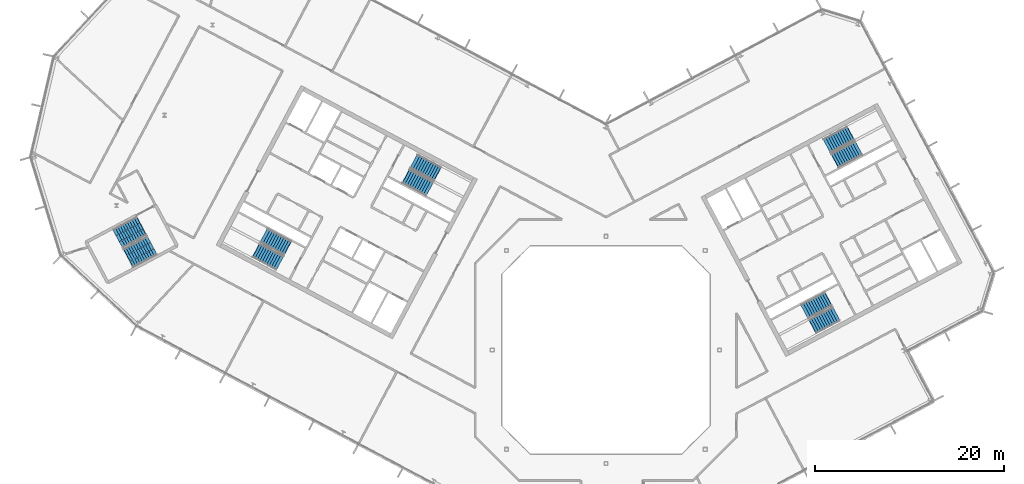
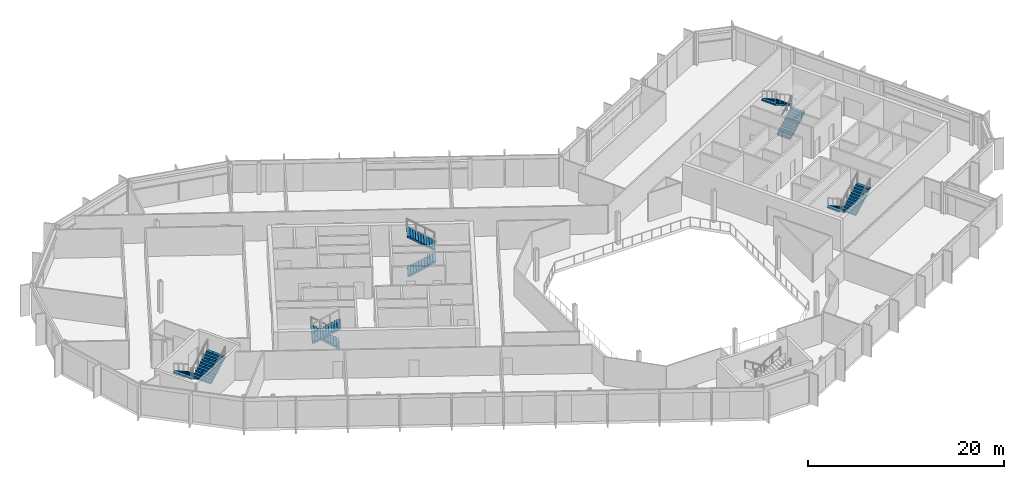
# One storey, part 17 of 25: 10 stair flights, 5 elements without a shape of their own.
"""IFC4 building model written with IfcOpenShell, lengths in metres."""

from ifc_helpers import new_model, si_unit, direction, frame, origin, place, context, subcontext, project, spatial, polyline, outline, extrude, material, type_object, element, aggregate, save


model = new_model("IFC4")

# Units and contexts
model_context = context("Model", 3, precision=1e-05, world=origin(), true_north=direction((0.0, 1.0)))
body_context = subcontext(model_context, "Body", "Model", "MODEL_VIEW")
ifc_project = project(units=[si_unit("LENGTHUNIT", "METRE"), si_unit("AREAUNIT", "SQUARE_METRE"), si_unit("VOLUMEUNIT", "CUBIC_METRE"), si_unit("PLANEANGLEUNIT", "RADIAN"), si_unit("MASSUNIT", "GRAM", prefix="KILO")], contexts=[model_context])

# Site, building, storey
site_placement = place(None, origin())
site = spatial("IfcSite", under=ifc_project, at=site_placement, CompositionType="ELEMENT")
building_placement = place(site_placement, origin())
building = spatial("IfcBuilding", under=site, at=building_placement, Name="Cormorant Relay Tower", CompositionType="ELEMENT")
storey_placement = place(building_placement, frame((0.0, 0.0, 297.0)))
storey = spatial("IfcBuildingStorey", under=building, at=storey_placement, Name="L67", CompositionType="ELEMENT", Elevation=297.0)

# Stair, stair flights
ifc_material_1 = material(Name="Concrete 40 MPa", Category="concrete")
stair_type_1 = type_object("IfcStairType", Name="Exit stair 1500", PredefinedType="HALF_TURN_STAIR", material=ifc_material_1)
stair_1_placement = place(storey_placement, origin())
stair_1 = element("IfcStair", 1, at=stair_1_placement, inside=storey, type_object=stair_type_1, Name="L67 Stair", PredefinedType="HALF_TURN_STAIR")
ifc_material_2 = material(Name="Concrete 40 MPa", Category="concrete")
stair_flight_type_1 = type_object("IfcStairFlightType", Name="Exit stair flight 1650", PredefinedType="STRAIGHT", material=ifc_material_2)
stair_flight_1_placement = place(storey_placement, frame((-21.114501953125, 18.33349609375, 0.0), z_axis=(0.0, 0.0, 1.0), x_axis=(0.882947592859, -0.469471562786, 0.0)))
stair_flight_1 = element("IfcStairFlight", 2, at=stair_flight_1_placement, type_object=stair_flight_type_1, Name="A1 flight 1", NumberOfRisers=11, NumberOfTreads=10, PredefinedType="STRAIGHT", RiserHeight=0.177272727, TreadLength=0.28, context=body_context, shape_type="SweptSolid", body=[
    extrude(outline(polyline([(-0.050048828125, -0.080078125), (-0.050048828125, 0.0), (0.0, 0.0), (0.0, 0.17724609375), (0.280029296875, 0.17724609375), (0.280029296875, 0.3544921875), (0.56005859375, 0.3544921875), (0.56005859375, 0.53173828125), (0.840087890625, 0.53173828125), (0.840087890625, 0.708984375), (1.1201171875, 0.708984375), (1.1201171875, 0.886474609375), (1.39990234375, 0.886474609375), (1.39990234375, 1.063720703125), (1.679931640625, 1.063720703125), (1.679931640625, 1.240966796875), (1.9599609375, 1.240966796875), (1.9599609375, 1.418212890625), (2.239990234375, 1.418212890625), (2.239990234375, 1.595458984375), (2.52001953125, 1.595458984375), (2.52001953125, 1.772705078125), (2.800048828125, 1.772705078125), (2.85009765625, 1.772705078125), (2.85009765625, 1.59521484375), (2.800048828125, 1.59521484375), (0.2802734375, 0.0), (-0.050048828125, -0.080078125)])), frame((0.0, 0.824951171875, 0.0), z_axis=(0.0, -1.0, 0.0), x_axis=(1.0, 0.0, 0.0)), (0.0, 0.0, 1.0), 1.64990234375),
])
stair_flight_2_placement = place(storey_placement, frame((-17.797119140625, 18.6083984375, 1.949951171875), z_axis=(0.0, 0.0, 1.0), x_axis=(-0.882947592859, 0.469471562786, 0.0)))
stair_flight_2 = element("IfcStairFlight", 3, at=stair_flight_2_placement, type_object=stair_flight_type_1, Name="A1 flight 2", NumberOfRisers=11, NumberOfTreads=10, PredefinedType="STRAIGHT", RiserHeight=0.177272727, TreadLength=0.28, context=body_context, shape_type="SweptSolid", body=[
    extrude(outline(polyline([(-0.050048828125, -0.080078125), (-0.050048828125, 0.0), (0.0, 0.0), (0.0, 0.17724609375), (0.280029296875, 0.17724609375), (0.280029296875, 0.3544921875), (0.56005859375, 0.3544921875), (0.56005859375, 0.53173828125), (0.840087890625, 0.53173828125), (0.840087890625, 0.708984375), (1.1201171875, 0.708984375), (1.1201171875, 0.886474609375), (1.39990234375, 0.886474609375), (1.39990234375, 1.063720703125), (1.679931640625, 1.063720703125), (1.679931640625, 1.240966796875), (1.9599609375, 1.240966796875), (1.9599609375, 1.418212890625), (2.239990234375, 1.418212890625), (2.239990234375, 1.595458984375), (2.52001953125, 1.595458984375), (2.52001953125, 1.772705078125), (2.800048828125, 1.772705078125), (2.85009765625, 1.772705078125), (2.85009765625, 1.59521484375), (2.800048828125, 1.59521484375), (0.2802734375, 0.0), (-0.050048828125, -0.080078125)])), frame((0.0, 0.824951171875, 0.0), z_axis=(0.0, -1.0, 0.0), x_axis=(1.0, 0.0, 0.0)), (0.0, 0.0, 1.0), 1.64990234375),
])
aggregate(stair_1, [stair_flight_1, stair_flight_2])

stair_2_placement = place(storey_placement, origin())
stair_2 = element("IfcStair", 4, at=stair_2_placement, inside=storey, type_object=stair_type_1, Name="L67 Stair", PredefinedType="HALF_TURN_STAIR")
stair_flight_3_placement = place(storey_placement, frame((-33.62841796875, 10.773681640625, 0.0), z_axis=(0.0, 0.0, 1.0), x_axis=(-0.882947592859, 0.469471562786, 0.0)))
stair_flight_3 = element("IfcStairFlight", 5, at=stair_flight_3_placement, type_object=stair_flight_type_1, Name="A2 flight 1", NumberOfRisers=11, NumberOfTreads=10, PredefinedType="STRAIGHT", RiserHeight=0.177272727, TreadLength=0.28, context=body_context, shape_type="SweptSolid", body=[
    extrude(outline(polyline([(-0.050048828125, -0.080078125), (-0.050048828125, 0.0), (0.0, 0.0), (0.0, 0.17724609375), (0.280029296875, 0.17724609375), (0.280029296875, 0.3544921875), (0.56005859375, 0.3544921875), (0.56005859375, 0.53173828125), (0.840087890625, 0.53173828125), (0.840087890625, 0.708984375), (1.1201171875, 0.708984375), (1.1201171875, 0.886474609375), (1.39990234375, 0.886474609375), (1.39990234375, 1.063720703125), (1.679931640625, 1.063720703125), (1.679931640625, 1.240966796875), (1.9599609375, 1.240966796875), (1.9599609375, 1.418212890625), (2.239990234375, 1.418212890625), (2.239990234375, 1.595458984375), (2.52001953125, 1.595458984375), (2.52001953125, 1.772705078125), (2.800048828125, 1.772705078125), (2.85009765625, 1.772705078125), (2.85009765625, 1.59521484375), (2.800048828125, 1.59521484375), (0.2802734375, 0.0), (-0.050048828125, -0.080078125)])), frame((0.0, 0.824951171875, 0.0), z_axis=(0.0, -1.0, 0.0), x_axis=(1.0, 0.0, 0.0)), (0.0, 0.0, 1.0), 1.64990234375),
])
stair_flight_4_placement = place(storey_placement, frame((-36.945556640625, 10.498779296875, 1.949951171875), z_axis=(0.0, 0.0, 1.0), x_axis=(0.882947592859, -0.469471562786, 0.0)))
stair_flight_4 = element("IfcStairFlight", 6, at=stair_flight_4_placement, type_object=stair_flight_type_1, Name="A2 flight 2", NumberOfRisers=11, NumberOfTreads=10, PredefinedType="STRAIGHT", RiserHeight=0.177272727, TreadLength=0.28, context=body_context, shape_type="SweptSolid", body=[
    extrude(outline(polyline([(-0.050048828125, -0.080078125), (-0.050048828125, 0.0), (0.0, 0.0), (0.0, 0.17724609375), (0.280029296875, 0.17724609375), (0.280029296875, 0.3544921875), (0.56005859375, 0.3544921875), (0.56005859375, 0.53173828125), (0.840087890625, 0.53173828125), (0.840087890625, 0.708984375), (1.1201171875, 0.708984375), (1.1201171875, 0.886474609375), (1.39990234375, 0.886474609375), (1.39990234375, 1.063720703125), (1.679931640625, 1.063720703125), (1.679931640625, 1.240966796875), (1.9599609375, 1.240966796875), (1.9599609375, 1.418212890625), (2.239990234375, 1.418212890625), (2.239990234375, 1.595458984375), (2.52001953125, 1.595458984375), (2.52001953125, 1.772705078125), (2.800048828125, 1.772705078125), (2.85009765625, 1.772705078125), (2.85009765625, 1.59521484375), (2.800048828125, 1.59521484375), (0.2802734375, 0.0), (-0.050048828125, -0.080078125)])), frame((0.0, 0.824951171875, 0.0), z_axis=(0.0, -1.0, 0.0), x_axis=(1.0, 0.0, 0.0)), (0.0, 0.0, 1.0), 1.64990234375),
])
aggregate(stair_2, [stair_flight_3, stair_flight_4])

stair_3_placement = place(storey_placement, origin())
stair_3 = element("IfcStair", 7, at=stair_3_placement, inside=storey, type_object=stair_type_1, Name="L67 Stair", PredefinedType="HALF_TURN_STAIR")
stair_flight_5_placement = place(storey_placement, frame((23.474365234375, 5.374755859375, 0.0), z_axis=(0.0, 0.0, 1.0), x_axis=(-0.882947592859, -0.469471562786, 0.0)))
stair_flight_5 = element("IfcStairFlight", 8, at=stair_flight_5_placement, type_object=stair_flight_type_1, Name="B1 flight 1", NumberOfRisers=11, NumberOfTreads=10, PredefinedType="STRAIGHT", RiserHeight=0.177272727, TreadLength=0.28, context=body_context, shape_type="SweptSolid", body=[
    extrude(outline(polyline([(-0.050048828125, -0.080078125), (-0.050048828125, 0.0), (0.0, 0.0), (0.0, 0.17724609375), (0.280029296875, 0.17724609375), (0.280029296875, 0.3544921875), (0.56005859375, 0.3544921875), (0.56005859375, 0.53173828125), (0.840087890625, 0.53173828125), (0.840087890625, 0.708984375), (1.1201171875, 0.708984375), (1.1201171875, 0.886474609375), (1.39990234375, 0.886474609375), (1.39990234375, 1.063720703125), (1.679931640625, 1.063720703125), (1.679931640625, 1.240966796875), (1.9599609375, 1.240966796875), (1.9599609375, 1.418212890625), (2.239990234375, 1.418212890625), (2.239990234375, 1.595458984375), (2.52001953125, 1.595458984375), (2.52001953125, 1.772705078125), (2.800048828125, 1.772705078125), (2.85009765625, 1.772705078125), (2.85009765625, 1.59521484375), (2.800048828125, 1.59521484375), (0.2802734375, 0.0), (-0.050048828125, -0.080078125)])), frame((0.0, 0.824951171875, 0.0), z_axis=(0.0, -1.0, 0.0), x_axis=(1.0, 0.0, 0.0)), (0.0, 0.0, 1.0), 1.64990234375),
])
stair_flight_6_placement = place(storey_placement, frame((21.84716796875, 2.470947265625, 1.949951171875), z_axis=(0.0, 0.0, 1.0), x_axis=(0.882947592859, 0.469471562786, 0.0)))
stair_flight_6 = element("IfcStairFlight", 9, at=stair_flight_6_placement, type_object=stair_flight_type_1, Name="B1 flight 2", NumberOfRisers=11, NumberOfTreads=10, PredefinedType="STRAIGHT", RiserHeight=0.177272727, TreadLength=0.28, context=body_context, shape_type="SweptSolid", body=[
    extrude(outline(polyline([(-0.050048828125, -0.080078125), (-0.050048828125, 0.0), (0.0, 0.0), (0.0, 0.17724609375), (0.280029296875, 0.17724609375), (0.280029296875, 0.3544921875), (0.56005859375, 0.3544921875), (0.56005859375, 0.53173828125), (0.840087890625, 0.53173828125), (0.840087890625, 0.708984375), (1.1201171875, 0.708984375), (1.1201171875, 0.886474609375), (1.39990234375, 0.886474609375), (1.39990234375, 1.063720703125), (1.679931640625, 1.063720703125), (1.679931640625, 1.240966796875), (1.9599609375, 1.240966796875), (1.9599609375, 1.418212890625), (2.239990234375, 1.418212890625), (2.239990234375, 1.595458984375), (2.52001953125, 1.595458984375), (2.52001953125, 1.772705078125), (2.800048828125, 1.772705078125), (2.85009765625, 1.772705078125), (2.85009765625, 1.59521484375), (2.800048828125, 1.59521484375), (0.2802734375, 0.0), (-0.050048828125, -0.080078125)])), frame((0.0, 0.824951171875, 0.0), z_axis=(0.0, -1.0, 0.0), x_axis=(1.0, 0.0, 0.0)), (0.0, 0.0, 1.0), 1.64990234375),
])
aggregate(stair_3, [stair_flight_5, stair_flight_6])

stair_4_placement = place(storey_placement, origin())
stair_4 = element("IfcStair", 10, at=stair_4_placement, inside=storey, type_object=stair_type_1, Name="L67 Stair", PredefinedType="HALF_TURN_STAIR")
stair_flight_7_placement = place(storey_placement, frame((24.20458984375, 19.976806640625, 0.0), z_axis=(0.0, 0.0, 1.0), x_axis=(0.882947592859, 0.469471562786, 0.0)))
stair_flight_7 = element("IfcStairFlight", 11, at=stair_flight_7_placement, type_object=stair_flight_type_1, Name="B2 flight 1", NumberOfRisers=11, NumberOfTreads=10, PredefinedType="STRAIGHT", RiserHeight=0.177272727, TreadLength=0.28, context=body_context, shape_type="SweptSolid", body=[
    extrude(outline(polyline([(-0.050048828125, -0.080078125), (-0.050048828125, 0.0), (0.0, 0.0), (0.0, 0.17724609375), (0.280029296875, 0.17724609375), (0.280029296875, 0.3544921875), (0.56005859375, 0.3544921875), (0.56005859375, 0.53173828125), (0.840087890625, 0.53173828125), (0.840087890625, 0.708984375), (1.1201171875, 0.708984375), (1.1201171875, 0.886474609375), (1.39990234375, 0.886474609375), (1.39990234375, 1.063720703125), (1.679931640625, 1.063720703125), (1.679931640625, 1.240966796875), (1.9599609375, 1.240966796875), (1.9599609375, 1.418212890625), (2.239990234375, 1.418212890625), (2.239990234375, 1.595458984375), (2.52001953125, 1.595458984375), (2.52001953125, 1.772705078125), (2.800048828125, 1.772705078125), (2.85009765625, 1.772705078125), (2.85009765625, 1.59521484375), (2.800048828125, 1.59521484375), (0.2802734375, 0.0), (-0.050048828125, -0.080078125)])), frame((0.0, 0.824951171875, 0.0), z_axis=(0.0, -1.0, 0.0), x_axis=(1.0, 0.0, 0.0)), (0.0, 0.0, 1.0), 1.64990234375),
])
stair_flight_8_placement = place(storey_placement, frame((25.831787109375, 22.880615234375, 1.949951171875), z_axis=(0.0, 0.0, 1.0), x_axis=(-0.882947592859, -0.469471562786, 0.0)))
stair_flight_8 = element("IfcStairFlight", 12, at=stair_flight_8_placement, type_object=stair_flight_type_1, Name="B2 flight 2", NumberOfRisers=11, NumberOfTreads=10, PredefinedType="STRAIGHT", RiserHeight=0.177272727, TreadLength=0.28, context=body_context, shape_type="SweptSolid", body=[
    extrude(outline(polyline([(-0.050048828125, -0.080078125), (-0.050048828125, 0.0), (0.0, 0.0), (0.0, 0.17724609375), (0.280029296875, 0.17724609375), (0.280029296875, 0.3544921875), (0.56005859375, 0.3544921875), (0.56005859375, 0.53173828125), (0.840087890625, 0.53173828125), (0.840087890625, 0.708984375), (1.1201171875, 0.708984375), (1.1201171875, 0.886474609375), (1.39990234375, 0.886474609375), (1.39990234375, 1.063720703125), (1.679931640625, 1.063720703125), (1.679931640625, 1.240966796875), (1.9599609375, 1.240966796875), (1.9599609375, 1.418212890625), (2.239990234375, 1.418212890625), (2.239990234375, 1.595458984375), (2.52001953125, 1.595458984375), (2.52001953125, 1.772705078125), (2.800048828125, 1.772705078125), (2.85009765625, 1.772705078125), (2.85009765625, 1.59521484375), (2.800048828125, 1.59521484375), (0.2802734375, 0.0), (-0.050048828125, -0.080078125)])), frame((0.0, 0.824951171875, 0.0), z_axis=(0.0, -1.0, 0.0), x_axis=(1.0, 0.0, 0.0)), (0.0, 0.0, 1.0), 1.64990234375),
])
aggregate(stair_4, [stair_flight_7, stair_flight_8])

ifc_material_3 = material(Name="Concrete 40 MPa", Category="concrete")
stair_type_2 = type_object("IfcStairType", Name="Remote exit stair 2200", PredefinedType="HALF_TURN_STAIR", material=ifc_material_3)
stair_5_placement = place(storey_placement, origin())
stair_5 = element("IfcStair", 13, at=stair_5_placement, inside=storey, type_object=stair_type_2, Name="L67 Stair", PredefinedType="HALF_TURN_STAIR")
ifc_material_4 = material(Name="Concrete 40 MPa", Category="concrete")
stair_flight_type_2 = type_object("IfcStairFlightType", Name="Remote exit stair flight 2200", PredefinedType="STRAIGHT", material=ifc_material_4)
stair_flight_9_placement = place(storey_placement, frame((-49.062255859375, 13.08251953125, 0.0), z_axis=(0.0, 0.0, 1.0), x_axis=(-0.882947502727, -0.4694717323, 0.0)))
stair_flight_9 = element("IfcStairFlight", 14, at=stair_flight_9_placement, type_object=stair_flight_type_2, Name="RP1 flight 1", NumberOfRisers=11, NumberOfTreads=10, PredefinedType="STRAIGHT", RiserHeight=0.177272727, TreadLength=0.28, context=body_context, shape_type="SweptSolid", body=[
    extrude(outline(polyline([(-0.050048828125, -0.080078125), (-0.050048828125, 0.0), (0.0, 0.0), (0.0, 0.17724609375), (0.280029296875, 0.17724609375), (0.280029296875, 0.3544921875), (0.56005859375, 0.3544921875), (0.56005859375, 0.53173828125), (0.840087890625, 0.53173828125), (0.840087890625, 0.708984375), (1.1201171875, 0.708984375), (1.1201171875, 0.886474609375), (1.39990234375, 0.886474609375), (1.39990234375, 1.063720703125), (1.679931640625, 1.063720703125), (1.679931640625, 1.240966796875), (1.9599609375, 1.240966796875), (1.9599609375, 1.418212890625), (2.239990234375, 1.418212890625), (2.239990234375, 1.595458984375), (2.52001953125, 1.595458984375), (2.52001953125, 1.772705078125), (2.800048828125, 1.772705078125), (2.85009765625, 1.772705078125), (2.85009765625, 1.59521484375), (2.800048828125, 1.59521484375), (0.2802734375, 0.0), (-0.050048828125, -0.080078125)])), frame((0.0, 1.10009765625, 0.0), z_axis=(0.0, -1.0, 0.0), x_axis=(1.0, 0.0, 0.0)), (0.0, 0.0, 1.0), 0.719970703125),
    extrude(outline(polyline([(-0.050048828125, -0.080078125), (-0.050048828125, 0.0), (0.0, 0.0), (0.0, 0.17724609375), (0.280029296875, 0.17724609375), (0.280029296875, 0.3544921875), (0.56005859375, 0.3544921875), (0.56005859375, 0.53173828125), (0.840087890625, 0.53173828125), (0.840087890625, 0.708984375), (1.1201171875, 0.708984375), (1.1201171875, 0.886474609375), (1.39990234375, 0.886474609375), (1.39990234375, 1.063720703125), (1.679931640625, 1.063720703125), (1.679931640625, 1.240966796875), (1.9599609375, 1.240966796875), (1.9599609375, 1.418212890625), (2.239990234375, 1.418212890625), (2.239990234375, 1.595458984375), (2.52001953125, 1.595458984375), (2.52001953125, 1.772705078125), (2.800048828125, 1.772705078125), (2.85009765625, 1.772705078125), (2.85009765625, 1.59521484375), (2.800048828125, 1.59521484375), (0.2802734375, 0.0), (-0.050048828125, -0.080078125)])), frame((0.0, 0.360107421875, 0.0), z_axis=(0.0, -1.0, 0.0), x_axis=(1.0, 0.0, 0.0)), (0.0, 0.0, 1.0), 0.719970703125),
    extrude(outline(polyline([(-0.050048828125, -0.080078125), (-0.050048828125, 0.0), (0.0, 0.0), (0.0, 0.17724609375), (0.280029296875, 0.17724609375), (0.280029296875, 0.3544921875), (0.56005859375, 0.3544921875), (0.56005859375, 0.53173828125), (0.840087890625, 0.53173828125), (0.840087890625, 0.708984375), (1.1201171875, 0.708984375), (1.1201171875, 0.886474609375), (1.39990234375, 0.886474609375), (1.39990234375, 1.063720703125), (1.679931640625, 1.063720703125), (1.679931640625, 1.240966796875), (1.9599609375, 1.240966796875), (1.9599609375, 1.418212890625), (2.239990234375, 1.418212890625), (2.239990234375, 1.595458984375), (2.52001953125, 1.595458984375), (2.52001953125, 1.772705078125), (2.800048828125, 1.772705078125), (2.85009765625, 1.772705078125), (2.85009765625, 1.59521484375), (2.800048828125, 1.59521484375), (0.2802734375, 0.0), (-0.050048828125, -0.080078125)])), frame((0.0, -0.3798828125, 0.0), z_axis=(0.0, -1.0, 0.0), x_axis=(1.0, 0.0, 0.0)), (0.0, 0.0, 1.0), 0.719970703125),
])
stair_flight_10_placement = place(storey_placement, frame((-50.431396484375, 9.693115234375, 1.949951171875), z_axis=(0.0, 0.0, 1.0), x_axis=(0.882947502727, 0.4694717323, 0.0)))
stair_flight_10 = element("IfcStairFlight", 15, at=stair_flight_10_placement, type_object=stair_flight_type_2, Name="RP1 flight 2", NumberOfRisers=11, NumberOfTreads=10, PredefinedType="STRAIGHT", RiserHeight=0.177272727, TreadLength=0.28, context=body_context, shape_type="SweptSolid", body=[
    extrude(outline(polyline([(-0.050048828125, -0.080078125), (-0.050048828125, 0.0), (0.0, 0.0), (0.0, 0.17724609375), (0.280029296875, 0.17724609375), (0.280029296875, 0.3544921875), (0.56005859375, 0.3544921875), (0.56005859375, 0.53173828125), (0.840087890625, 0.53173828125), (0.840087890625, 0.708984375), (1.1201171875, 0.708984375), (1.1201171875, 0.886474609375), (1.39990234375, 0.886474609375), (1.39990234375, 1.063720703125), (1.679931640625, 1.063720703125), (1.679931640625, 1.240966796875), (1.9599609375, 1.240966796875), (1.9599609375, 1.418212890625), (2.239990234375, 1.418212890625), (2.239990234375, 1.595458984375), (2.52001953125, 1.595458984375), (2.52001953125, 1.772705078125), (2.800048828125, 1.772705078125), (2.85009765625, 1.772705078125), (2.85009765625, 1.59521484375), (2.800048828125, 1.59521484375), (0.2802734375, 0.0), (-0.050048828125, -0.080078125)])), frame((0.0, 1.10009765625, 0.0), z_axis=(0.0, -1.0, 0.0), x_axis=(1.0, 0.0, 0.0)), (0.0, 0.0, 1.0), 0.719970703125),
    extrude(outline(polyline([(-0.050048828125, -0.080078125), (-0.050048828125, 0.0), (0.0, 0.0), (0.0, 0.17724609375), (0.280029296875, 0.17724609375), (0.280029296875, 0.3544921875), (0.56005859375, 0.3544921875), (0.56005859375, 0.53173828125), (0.840087890625, 0.53173828125), (0.840087890625, 0.708984375), (1.1201171875, 0.708984375), (1.1201171875, 0.886474609375), (1.39990234375, 0.886474609375), (1.39990234375, 1.063720703125), (1.679931640625, 1.063720703125), (1.679931640625, 1.240966796875), (1.9599609375, 1.240966796875), (1.9599609375, 1.418212890625), (2.239990234375, 1.418212890625), (2.239990234375, 1.595458984375), (2.52001953125, 1.595458984375), (2.52001953125, 1.772705078125), (2.800048828125, 1.772705078125), (2.85009765625, 1.772705078125), (2.85009765625, 1.59521484375), (2.800048828125, 1.59521484375), (0.2802734375, 0.0), (-0.050048828125, -0.080078125)])), frame((0.0, 0.360107421875, 0.0), z_axis=(0.0, -1.0, 0.0), x_axis=(1.0, 0.0, 0.0)), (0.0, 0.0, 1.0), 0.719970703125),
    extrude(outline(polyline([(-0.050048828125, -0.080078125), (-0.050048828125, 0.0), (0.0, 0.0), (0.0, 0.17724609375), (0.280029296875, 0.17724609375), (0.280029296875, 0.3544921875), (0.56005859375, 0.3544921875), (0.56005859375, 0.53173828125), (0.840087890625, 0.53173828125), (0.840087890625, 0.708984375), (1.1201171875, 0.708984375), (1.1201171875, 0.886474609375), (1.39990234375, 0.886474609375), (1.39990234375, 1.063720703125), (1.679931640625, 1.063720703125), (1.679931640625, 1.240966796875), (1.9599609375, 1.240966796875), (1.9599609375, 1.418212890625), (2.239990234375, 1.418212890625), (2.239990234375, 1.595458984375), (2.52001953125, 1.595458984375), (2.52001953125, 1.772705078125), (2.800048828125, 1.772705078125), (2.85009765625, 1.772705078125), (2.85009765625, 1.59521484375), (2.800048828125, 1.59521484375), (0.2802734375, 0.0), (-0.050048828125, -0.080078125)])), frame((0.0, -0.3798828125, 0.0), z_axis=(0.0, -1.0, 0.0), x_axis=(1.0, 0.0, 0.0)), (0.0, 0.0, 1.0), 0.719970703125),
])
aggregate(stair_5, [stair_flight_9, stair_flight_10])

save(model, "model.ifc")
